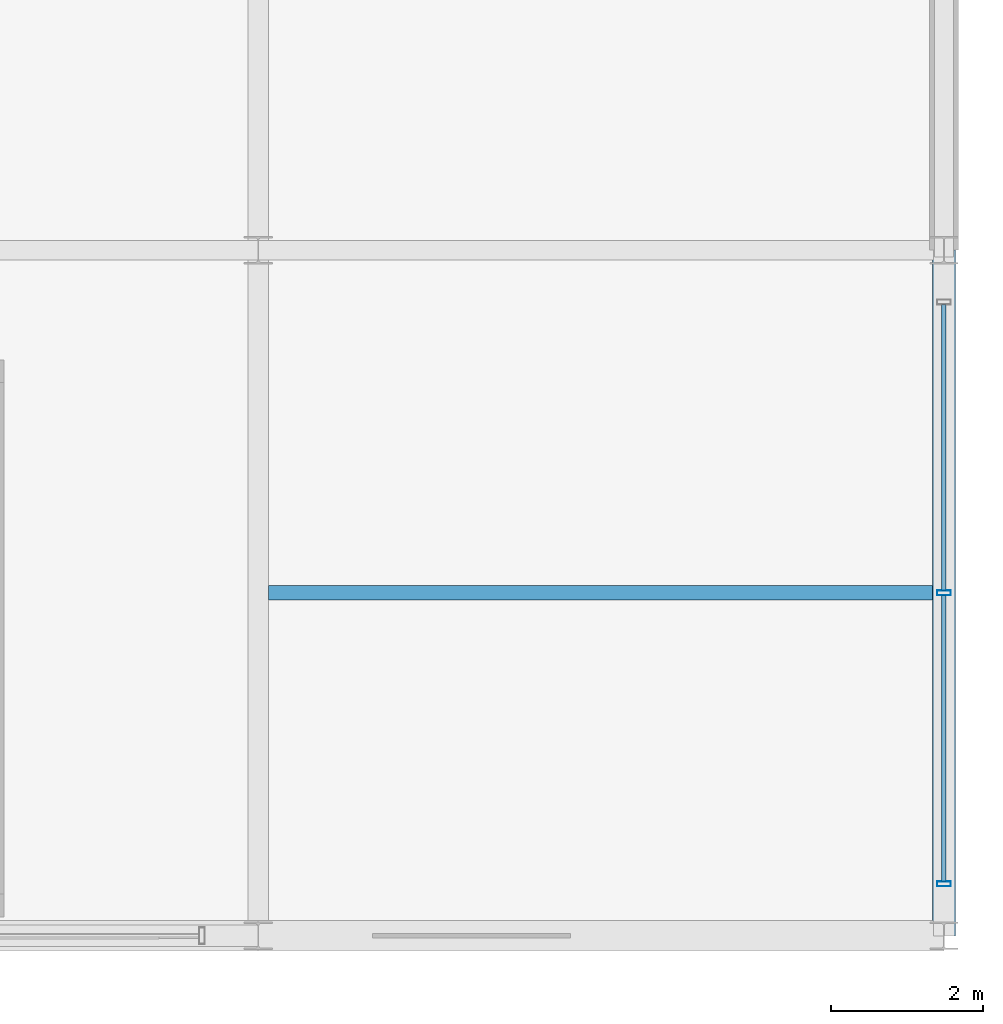
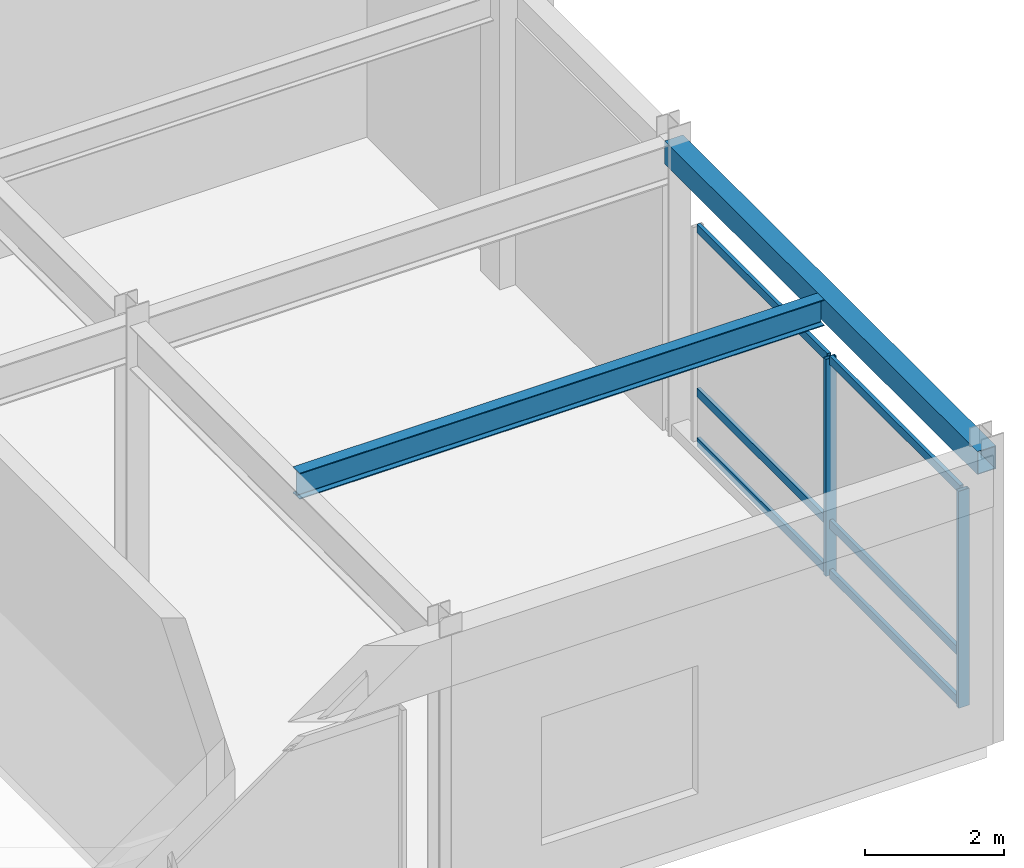
# One storey, part 43 of 100: 8 members, 2 beams, 1 element without a shape of its own.
"""IFC4 building model written with IfcOpenShell, lengths in metres."""

import ifcopenshell
import ifcopenshell.guid

model = None  # the IFC model being written
_history = None  # IfcOwnerHistory: only IFC2X3 demands one
_inside = {}  # id of a spatial element -> (the spatial element, [elements in it])
_under = {}  # id of a project, library or spatial element -> (it, [spatial elements below it])
_declared = {}  # id of a project -> (the project, [libraries it declares])
_typed = {}  # id of a type object -> (the type object, [elements of that type])
_made_of = {}  # id of a material, layer set ... -> (it, [elements and type objects made of it])


def new_model(schema):
    """Start an empty IFC model of exactly this schema.

    Asked for "IFC4X3", IfcOpenShell would pick the latest addendum, in which some entities
    have other attributes; the version numbers below select the first issue.
    IFC2X3 requires an IfcOwnerHistory on every rooted entity: one is made here for all.
    """
    global model, _history
    if schema == "IFC4X3":
        model = ifcopenshell.file(schema_version=(4, 3, 0, 0))
    else:
        model = ifcopenshell.file(schema=schema)
    _inside.clear()
    _under.clear()
    _declared.clear()
    _typed.clear()
    _made_of.clear()
    _history = None
    if model.schema == "IFC2X3":
        org = make("IfcOrganization", Name="unknown")
        user = make(
            "IfcPersonAndOrganization",
            ThePerson=make("IfcPerson", FamilyName="unknown"),
            TheOrganization=org,
        )
        app = make(
            "IfcApplication",
            ApplicationDeveloper=org,
            Version="unknown",
            ApplicationFullName="unknown",
            ApplicationIdentifier="unknown",
        )
        _history = make(
            "IfcOwnerHistory",
            OwningUser=user,
            OwningApplication=app,
            ChangeAction="ADDED",
            CreationDate=0,
        )
    return model


def make(cls, **values):
    """One entity of the class cls with the attributes given. An attribute that is None is left unset."""
    return model.create_entity(
        cls, **{name: value for name, value in values.items() if value is not None}
    )


def rooted(cls, **values):
    """An entity with a GlobalId (a new one), such as an element, a storey or a relation."""
    return make(cls, GlobalId=ifcopenshell.guid.new(), OwnerHistory=_history, **values)


def si_unit(unit_type, name, prefix=None):
    """IfcSIUnit, for example si_unit("LENGTHUNIT", "METRE", prefix="MILLI")."""
    return make("IfcSIUnit", UnitType=unit_type, Prefix=prefix, Name=name)


def assignment(units):
    """IfcUnitAssignment: the units of a project."""
    return None if units is None else make("IfcUnitAssignment", Units=units)


def point(xyz):
    """IfcCartesianPoint."""
    return None if xyz is None else make("IfcCartesianPoint", Coordinates=xyz)


def direction(xyz):
    """IfcDirection."""
    return None if xyz is None else make("IfcDirection", DirectionRatios=xyz)


def frame(location, z_axis=None, x_axis=None):
    """IfcAxis2Placement3D, a coordinate frame: its origin and axes. An axis left out is left unset."""
    return make(
        "IfcAxis2Placement3D",
        Location=point(location),
        Axis=direction(z_axis),
        RefDirection=direction(x_axis),
    )


def frame_2d(location, x_axis=None):
    """IfcAxis2Placement2D, a coordinate frame in the plane: its origin and x axis."""
    return make(
        "IfcAxis2Placement2D", Location=point(location), RefDirection=direction(x_axis)
    )


def origin():
    """The frame at (0, 0, 0) with its axes left unset."""
    return frame((0.0, 0.0, 0.0))


def origin_2d():
    """The frame at (0, 0) in the plane with its x axis left unset."""
    return frame_2d((0.0, 0.0))


def place(relative_to, where):
    """IfcLocalPlacement: puts the frame where relative to a parent placement (None: the world)."""
    return make(
        "IfcLocalPlacement", PlacementRelTo=relative_to, RelativePlacement=where
    )


def context(
    kind, dimensions, precision=None, world=None, true_north=None, identifier=None
):
    """IfcGeometricRepresentationContext, for example the 3D "Model" context."""
    return make(
        "IfcGeometricRepresentationContext",
        ContextIdentifier=identifier,
        ContextType=kind,
        CoordinateSpaceDimension=dimensions,
        Precision=precision,
        WorldCoordinateSystem=world,
        TrueNorth=true_north,
    )


def subcontext(parent, identifier, kind, view, scale=None):
    """IfcGeometricRepresentationSubContext, for example "Body" below "Model"."""
    return make(
        "IfcGeometricRepresentationSubContext",
        ContextIdentifier=identifier,
        ContextType=kind,
        ParentContext=parent,
        TargetScale=scale,
        TargetView=view,
    )


def project(units=None, contexts=None):
    """IfcProject with its units and contexts."""
    return rooted(
        "IfcProject",
        Name="project",
        RepresentationContexts=contexts,
        UnitsInContext=assignment(units),
    )


def spatial(cls, under=None, at=None, **own):
    """A site, building, storey or space (cls), placed at a placement, below another one or the project."""
    s = rooted(cls, ObjectPlacement=at, **own)
    if under is not None:
        _under.setdefault(under.id(), (under, []))[1].append(s)
    return s


def profile(cls, at=None, kind="AREA", **sizes):
    """A parametric profile (cls). Its sizes go by their IFC names, for example OverallWidth=200.0."""
    return make(cls, ProfileType=kind, Position=at, **sizes)


def hollow_rectangle(**sizes):
    """IfcRectangleHollowProfileDef."""
    return profile("IfcRectangleHollowProfileDef", **sizes)


def i_section(**sizes):
    """IfcIShapeProfileDef."""
    return profile("IfcIShapeProfileDef", **sizes)


def extrude(swept, where, along, depth):
    """IfcExtrudedAreaSolid: the profile swept, set in the frame where, extruded along a direction by depth."""
    return make(
        "IfcExtrudedAreaSolid",
        SweptArea=swept,
        Position=where,
        ExtrudedDirection=direction(along),
        Depth=depth,
    )


def shape(context_of_items, identifier, shape_type, items):
    """IfcShapeRepresentation: the items that make up one representation, for example the "Body"."""
    return make(
        "IfcShapeRepresentation",
        ContextOfItems=context_of_items,
        RepresentationIdentifier=identifier,
        RepresentationType=shape_type,
        Items=items,
    )


def material(Name=None, Category=None):
    """IfcMaterial."""
    return make("IfcMaterial", Name=Name, Category=Category)


def material_profile(
    of_material, cross_section, Name=None, Category=None, Priority=None
):
    """IfcMaterialProfile: a cross section and its material."""
    return make(
        "IfcMaterialProfile",
        Name=Name,
        Material=of_material,
        Profile=cross_section,
        Priority=Priority,
        Category=Category,
    )


def profile_set(profiles, Name=None, composite=None):
    """IfcMaterialProfileSet."""
    return make(
        "IfcMaterialProfileSet",
        Name=Name,
        MaterialProfiles=profiles,
        CompositeProfile=composite,
    )


def made_of(thing, what):
    """Note that an element or type object is made of a material, layer set ...; save() writes the relation."""
    if what is not None:
        _made_of.setdefault(what.id(), (what, []))[1].append(thing)
    return thing


def type_object(cls, material=None, **own):
    """A type object (cls), such as IfcWallType, which elements share."""
    return made_of(rooted(cls, **own), material)


def element(
    cls,
    number,
    at=None,
    inside=None,
    cuts=None,
    type_object=None,
    material=None,
    context=None,
    identifier="Body",
    shape_type=None,
    held_by="IfcProductDefinitionShape",
    body=None,
    shapes=None,
    **own,
):
    """One element of the class cls, such as IfcWall. Its Tag is "e" and its number.

    at: its placement. inside: the storey or other place that contains it. cuts: it is an
    opening in that element (IfcRelVoidsElement). A single representation is given by context,
    identifier, shape_type and body (its items); several are given by shapes. held_by: the class
    of the entity that holds the representations. save() writes the other relations.
    """
    e = rooted(cls, Tag="e%d" % number, ObjectPlacement=at, **own)
    if body is not None:
        shapes = [shape(context, identifier, shape_type, body)]
    if shapes is not None:
        e.Representation = make(held_by, Representations=shapes)
    if inside is not None:
        _inside.setdefault(inside.id(), (inside, []))[1].append(e)
    if cuts is not None:
        rooted(
            "IfcRelVoidsElement", RelatingBuildingElement=cuts, RelatedOpeningElement=e
        )
    if type_object is not None:
        _typed.setdefault(type_object.id(), (type_object, []))[1].append(e)
    return made_of(e, material)


def aggregate(whole, parts):
    """IfcRelAggregates: a whole, such as a stair, and the parts it consists of."""
    return rooted("IfcRelAggregates", RelatingObject=whole, RelatedObjects=parts)


def save(model, path):
    """Write the relations noted so far, then the file.

    IfcRelAggregates (storeys below a building ...), IfcRelContainedInSpatialStructure (elements
    in a storey), IfcRelDefinesByType, IfcRelAssociatesMaterial and IfcRelDeclares: one each for
    every whole, place, type object, material and project.
    """
    for whole, parts in _under.values():
        aggregate(whole, parts)
    for where, things in _inside.values():
        rooted(
            "IfcRelContainedInSpatialStructure",
            RelatedElements=things,
            RelatingStructure=where,
        )
    for kind, things in _typed.values():
        rooted("IfcRelDefinesByType", RelatedObjects=things, RelatingType=kind)
    for what, things in _made_of.values():
        rooted("IfcRelAssociatesMaterial", RelatedObjects=things, RelatingMaterial=what)
    for by, libraries in _declared.values():
        rooted("IfcRelDeclares", RelatingContext=by, RelatedDefinitions=libraries)
    model.write(path)


model = new_model("IFC4")

# Units and contexts
model_context = context("Model", 3, precision=1e-05, world=origin(), true_north=direction((0.0, 1.0)))
body_context = subcontext(model_context, "Body", "Model", "MODEL_VIEW")
ifc_project = project(units=[si_unit("LENGTHUNIT", "METRE"), si_unit("AREAUNIT", "SQUARE_METRE"), si_unit("VOLUMEUNIT", "CUBIC_METRE"), si_unit("PLANEANGLEUNIT", "RADIAN"), si_unit("MASSUNIT", "GRAM", prefix="KILO")], contexts=[model_context])

# Site, building, storey
site_placement = place(None, origin())
site = spatial("IfcSite", under=ifc_project, at=site_placement, CompositionType="ELEMENT")
building_placement = place(site_placement, origin())
building = spatial("IfcBuilding", under=site, at=building_placement, Name="Kaldorvane Square Convention Centre", CompositionType="ELEMENT")
storey_placement = place(building_placement, frame((0.0, 0.0, 18.0)))
storey = spatial("IfcBuildingStorey", under=building, at=storey_placement, Name="L03", CompositionType="ELEMENT", Elevation=18.0)

# Beams
ifc_material_1 = material(Name="Steel ASTM A992 Gr. 50", Category="steel")
ifc_material_profile_1 = material_profile(ifc_material_1, i_section(OverallWidth=0.1912994384765625, OverallDepth=0.4600067138671875, WebThickness=0.0099029541015625, FlangeThickness=0.0160064697265625, FilletRadius=0.01019287109375, at=origin_2d()), Name="W18X55")
ifc_profile_set_1 = profile_set([ifc_material_profile_1], Name="Steel ASTM A992 Gr. 50")
beam_type_1 = type_object("IfcBeamType", Name="BM-JS-W18X55", PredefinedType="JOIST", material=ifc_profile_set_1)
beam_1_placement = place(storey_placement, frame((165.13330078125, 4.5, 4.8459930419921875), z_axis=(1.0, 0.0, 0.0), x_axis=(0.0, 1.0, 0.0)))
element("IfcBeam", 1, at=beam_1_placement, inside=storey, type_object=beam_type_1, Name="Secondary Floor Joist (L03)", PredefinedType="JOIST", context=body_context, shape_type="SweptSolid", body=[
    extrude(i_section(OverallWidth=0.1912994384765625, OverallDepth=0.4600067138671875, WebThickness=0.0099029541015625, FlangeThickness=0.0160064697265625, FilletRadius=0.01019287109375, at=origin_2d()), origin(), (0.0, 0.0, 1.0), 8.71429443359375),
])
ifc_material_2 = material(Name="Steel ASTM A500 Gr. C", Category="steel")
ifc_material_profile_2 = material_profile(ifc_material_2, hollow_rectangle(XDim=0.3047943115234375, YDim=0.406402587890625, WallThickness=0.0117950439453125, at=origin_2d()), Name="HSS16X12X1/2")
ifc_profile_set_2 = profile_set([ifc_material_profile_2], Name="Steel ASTM A500 Gr. C")
beam_type_2 = type_object("IfcBeamType", Name="BM-SP-HSS16", PredefinedType="SPANDREL", material=ifc_profile_set_2)
beam_2_placement = place(storey_placement, frame((174.0, 0.0, 4.872802734375), z_axis=(0.0, 1.0, 0.0), x_axis=(-1.0, 0.0, 0.0)))
element("IfcBeam", 2, at=beam_2_placement, inside=storey, type_object=beam_type_2, Name="End Spandrel (L03)", PredefinedType="SPANDREL", context=body_context, shape_type="SweptSolid", body=[
    extrude(hollow_rectangle(XDim=0.3047943115234375, YDim=0.406402587890625, WallThickness=0.0117950439453125, at=origin_2d()), origin(), (0.0, 0.0, 1.0), 9.0),
])

# Curtain wall, members
ifc_material_3 = material(Name="Anodized Aluminum and Low-E Insulated Glazing", Category="aluminium")
curtain_wall_type = type_object("IfcCurtainWallType", Name="CW-UNI-P54-09", PredefinedType="USERDEFINED", material=ifc_material_3)
curtain_wall_placement = place(storey_placement, origin())
curtain_wall = element("IfcCurtainWall", 3, at=curtain_wall_placement, inside=storey, type_object=curtain_wall_type, Name="Curtain Wall CW-04 (L03)", ObjectType="UNITISED GLAZING", PredefinedType="USERDEFINED")
ifc_material_profile_3 = material_profile(ifc_material_3, hollow_rectangle(XDim=0.06500244140625, YDim=0.17999267578125, WallThickness=0.0034942626953125, at=origin_2d()), Name="CWM-180X65")
ifc_profile_set_3 = profile_set([ifc_material_profile_3], Name="Anodized Aluminum and Low-E Insulated Glazing")
member_type_1 = type_object("IfcMemberType", Name="CW-MUL-180", PredefinedType="MULLION", material=ifc_profile_set_3)
member_1_placement = place(storey_placement, frame((174.0, 0.6824951171875, 0.149993896484375), z_axis=(0.0, 0.0, 1.0), x_axis=(0.0, 1.0, 0.0)))
member_1 = element("IfcMember", 4, at=member_1_placement, type_object=member_type_1, Name="CW-04 mullion 1", PredefinedType="MULLION", context=body_context, shape_type="SweptSolid", body=[
    extrude(hollow_rectangle(XDim=0.06500244140625, YDim=0.17999267578125, WallThickness=0.0034942626953125, at=origin_2d()), origin(), (0.0, 0.0, 1.0), 3.8100128173828125),
])
member_2_placement = place(storey_placement, frame((174.0, 4.5, 0.149993896484375), z_axis=(0.0, 0.0, 1.0), x_axis=(0.0, 1.0, 0.0)))
member_2 = element("IfcMember", 5, at=member_2_placement, type_object=member_type_1, Name="CW-04 mullion 2", PredefinedType="MULLION", context=body_context, shape_type="SweptSolid", body=[
    extrude(hollow_rectangle(XDim=0.06500244140625, YDim=0.17999267578125, WallThickness=0.0034942626953125, at=origin_2d()), origin(), (0.0, 0.0, 1.0), 3.8100128173828125),
])
ifc_material_profile_4 = material_profile(ifc_material_3, hollow_rectangle(XDim=0.05999755859375, YDim=0.149993896484375, WallThickness=0.003204345703125, at=origin_2d()), Name="CWT-150X60")
ifc_profile_set_4 = profile_set([ifc_material_profile_4], Name="Anodized Aluminum and Low-E Insulated Glazing")
member_type_2 = type_object("IfcMemberType", Name="CW-TRN-150", PredefinedType="USERDEFINED", material=ifc_profile_set_4)
member_3_placement = place(storey_placement, frame((174.0, 0.714996337890625, 0.17999267578125), z_axis=(0.0, 1.0, 0.0), x_axis=(-1.0, 0.0, 0.0)))
member_3 = element("IfcMember", 6, at=member_3_placement, type_object=member_type_2, Name="CW-04 transom 1.1", ObjectType="TRANSOM", PredefinedType="USERDEFINED", context=body_context, shape_type="SweptSolid", body=[
    extrude(hollow_rectangle(XDim=0.05999755859375, YDim=0.149993896484375, WallThickness=0.003204345703125, at=origin_2d()), origin(), (0.0, 0.0, 1.0), 3.75250244140625),
])
member_4_placement = place(storey_placement, frame((174.0, 0.714996337890625, 1.0500030517578125), z_axis=(0.0, 1.0, 0.0), x_axis=(-1.0, 0.0, 0.0)))
member_4 = element("IfcMember", 7, at=member_4_placement, type_object=member_type_2, Name="CW-04 transom 1.2", ObjectType="TRANSOM", PredefinedType="USERDEFINED", context=body_context, shape_type="SweptSolid", body=[
    extrude(hollow_rectangle(XDim=0.05999755859375, YDim=0.149993896484375, WallThickness=0.003204345703125, at=origin_2d()), origin(), (0.0, 0.0, 1.0), 3.75250244140625),
])
member_5_placement = place(storey_placement, frame((174.0, 0.714996337890625, 3.92999267578125), z_axis=(0.0, 1.0, 0.0), x_axis=(-1.0, 0.0, 0.0)))
member_5 = element("IfcMember", 8, at=member_5_placement, type_object=member_type_2, Name="CW-04 transom 1.3", ObjectType="TRANSOM", PredefinedType="USERDEFINED", context=body_context, shape_type="SweptSolid", body=[
    extrude(hollow_rectangle(XDim=0.05999755859375, YDim=0.149993896484375, WallThickness=0.003204345703125, at=origin_2d()), origin(), (0.0, 0.0, 1.0), 3.75250244140625),
])
member_6_placement = place(storey_placement, frame((174.0, 4.532501220703125, 0.17999267578125), z_axis=(0.0, 1.0, 0.0), x_axis=(-1.0, 0.0, 0.0)))
member_6 = element("IfcMember", 9, at=member_6_placement, type_object=member_type_2, Name="CW-04 transom 2.1", ObjectType="TRANSOM", PredefinedType="USERDEFINED", context=body_context, shape_type="SweptSolid", body=[
    extrude(hollow_rectangle(XDim=0.05999755859375, YDim=0.149993896484375, WallThickness=0.003204345703125, at=origin_2d()), origin(), (0.0, 0.0, 1.0), 3.75250244140625),
])
member_7_placement = place(storey_placement, frame((174.0, 4.532501220703125, 1.0500030517578125), z_axis=(0.0, 1.0, 0.0), x_axis=(-1.0, 0.0, 0.0)))
member_7 = element("IfcMember", 10, at=member_7_placement, type_object=member_type_2, Name="CW-04 transom 2.2", ObjectType="TRANSOM", PredefinedType="USERDEFINED", context=body_context, shape_type="SweptSolid", body=[
    extrude(hollow_rectangle(XDim=0.05999755859375, YDim=0.149993896484375, WallThickness=0.003204345703125, at=origin_2d()), origin(), (0.0, 0.0, 1.0), 3.75250244140625),
])
member_8_placement = place(storey_placement, frame((174.0, 4.532501220703125, 3.92999267578125), z_axis=(0.0, 1.0, 0.0), x_axis=(-1.0, 0.0, 0.0)))
member_8 = element("IfcMember", 11, at=member_8_placement, type_object=member_type_2, Name="CW-04 transom 2.3", ObjectType="TRANSOM", PredefinedType="USERDEFINED", context=body_context, shape_type="SweptSolid", body=[
    extrude(hollow_rectangle(XDim=0.05999755859375, YDim=0.149993896484375, WallThickness=0.003204345703125, at=origin_2d()), origin(), (0.0, 0.0, 1.0), 3.75250244140625),
])
aggregate(curtain_wall, [member_1, member_2, member_3, member_4, member_5, member_6, member_7, member_8])

save(model, "model.ifc")
